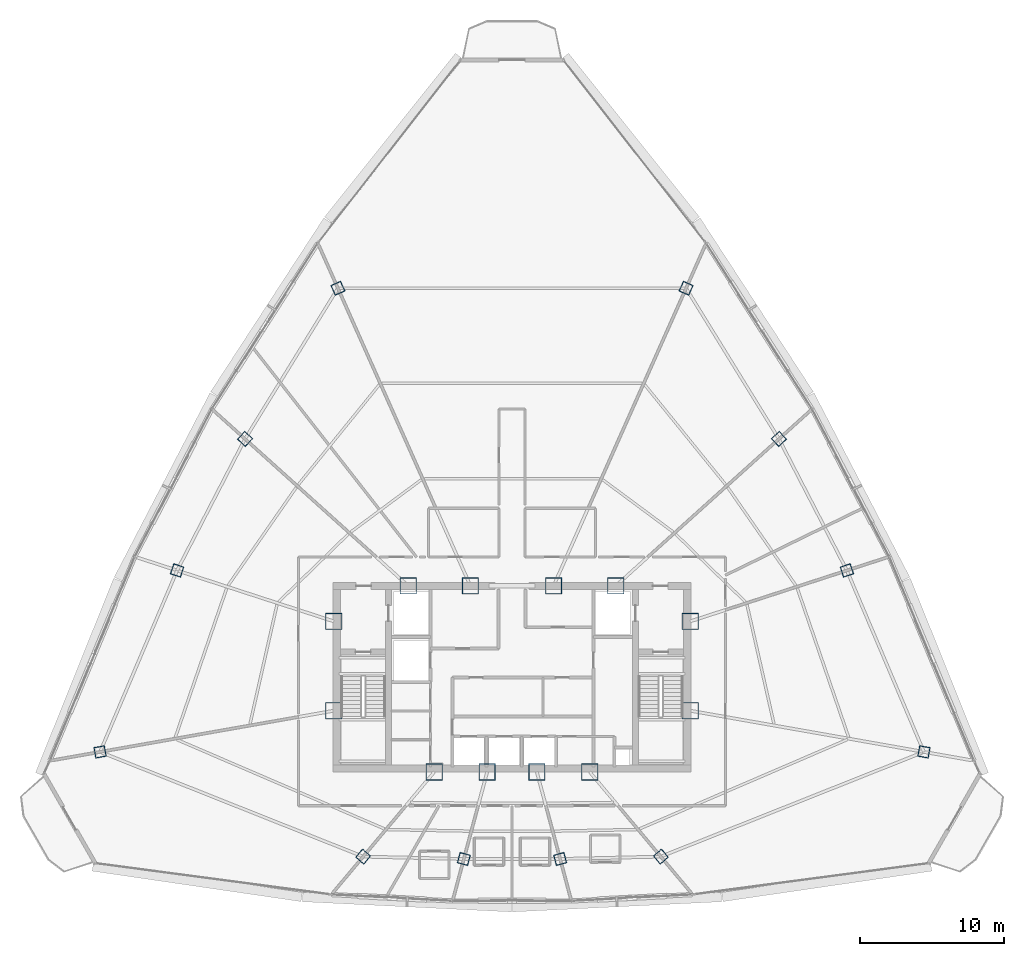
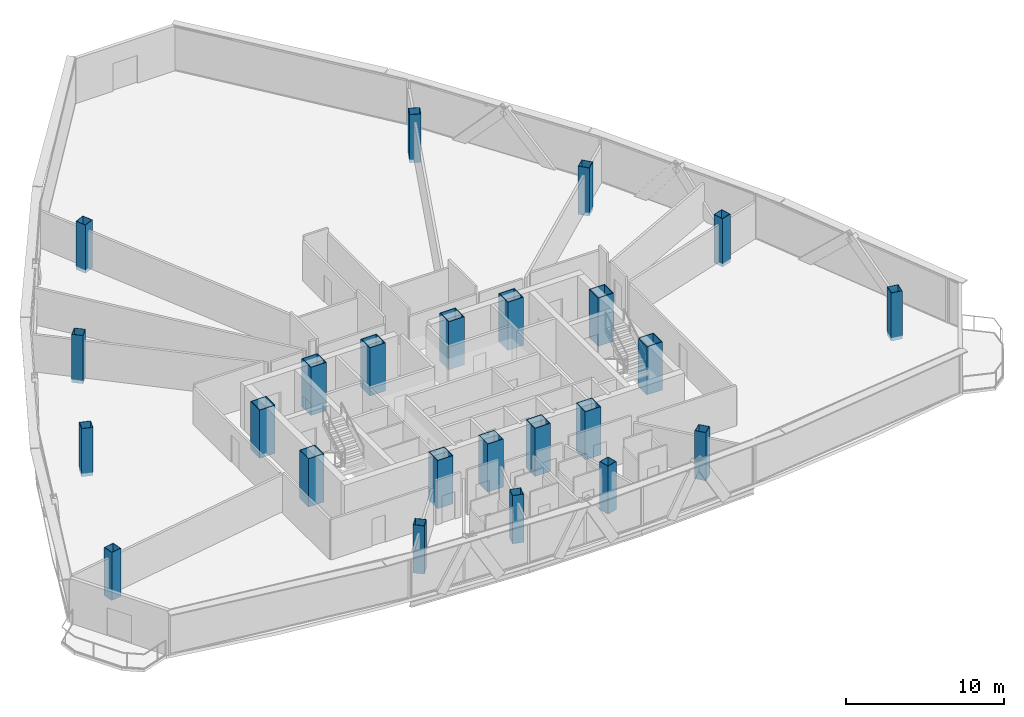
# One storey, part 1 of 37: 24 columns.
"""IFC4 building model written with IfcOpenShell, lengths in metres."""

from ifc_helpers import new_model, si_unit, direction, frame, origin, origin_2d, place, context, subcontext, project, spatial, hollow_rectangle, extrude, source, transform, mapped, material, material_profile, profile_set, type_object, element, save


model = new_model("IFC4")

# Units and contexts
model_context = context("Model", 3, precision=1e-05, world=origin(), true_north=direction((0.0, 1.0)))
body_context = subcontext(model_context, "Body", "Model", "MODEL_VIEW")
ifc_project = project(units=[si_unit("LENGTHUNIT", "METRE"), si_unit("AREAUNIT", "SQUARE_METRE"), si_unit("VOLUMEUNIT", "CUBIC_METRE"), si_unit("PLANEANGLEUNIT", "RADIAN"), si_unit("MASSUNIT", "GRAM", prefix="KILO"), si_unit("THERMODYNAMICTEMPERATUREUNIT", "KELVIN"), si_unit("POWERUNIT", "WATT")], contexts=[model_context])

# Site, building, storey
site_placement = place(None, origin())
site = spatial("IfcSite", under=ifc_project, at=site_placement, CompositionType="ELEMENT")
building_placement = place(site_placement, origin())
building = spatial("IfcBuilding", under=site, at=building_placement, Name="Yunzhuo Pagoda Commons", CompositionType="ELEMENT")
storey_placement = place(building_placement, frame((0.0, 0.0, 277.56005859375)))
storey = spatial("IfcBuildingStorey", under=building, at=storey_placement, Name="L69", CompositionType="ELEMENT", Elevation=277.56005859375)

# Columns
ifc_material_1 = material(Name="Structural steel Q420B", Category="steel")
ifc_material_profile_1 = material_profile(ifc_material_1, hollow_rectangle(XDim=1.14990234375, YDim=1.14990234375, WallThickness=0.048095703125, at=origin_2d()), Name="Structural steel Q420B")
ifc_profile_set_1 = profile_set([ifc_material_profile_1], Name="Structural steel Q420B")
column_type_1 = type_object("IfcColumnType", Name="C-COR Column BOX 1150x1150x48", PredefinedType="COLUMN", material=ifc_profile_set_1)
shared_shape_1 = source(origin(), body_context, "Body", "SweptSolid", [
    extrude(hollow_rectangle(XDim=1.14990234375, YDim=1.14990234375, WallThickness=0.048095703125, at=origin_2d()), origin(), (0.0, 0.0, 1.0), 3.72998046875),
])
for number, where, z_axis, x_axis, name in (
    (1, (42.587890625, 27.25, -0.260009765625), (0.0, 0.0, 1.0), (1.0, 0.0, 0.0), "L69 core composite column F1C1"),
    (2, (46.27197265625, 27.25, -0.260009765625), (0.0, 0.0, 1.0), (1.0, 0.0, 0.0), "L69 core composite column F1C2"),
    (3, (49.728515625, 27.25, -0.260009765625), (0.0, 0.0, 1.0), (1.0, 0.0, 0.0), "L69 core composite column F1C3"),
    (4, (53.412109375, 27.25, -0.260009765625), (0.0, 0.0, 1.0), (1.0, 0.0, 0.0), "L69 core composite column F1C4"),
    (5, (60.39990234375, 31.513427734375, -0.260009765625), (0.0, 0.0, 1.0), (1.0, 0.0, 0.0), "L69 core composite column F2C1"),
    (6, (60.39990234375, 37.72900390625, -0.260009765625), (0.0, 0.0, 1.0), (1.0, 0.0, 0.0), "L69 core composite column F2C2"),
    (7, (55.218994140625, 40.199951171875, -0.260009765625), (0.0, 0.0, 1.0), (1.0, 0.0, 0.0), "L69 core composite column F2C3"),
    (8, (50.89404296875, 40.199951171875, -0.260009765625), (0.0, 0.0, 1.0), (1.0, 0.0, 0.0), "L69 core composite column F2C4"),
    (9, (45.10595703125, 40.199951171875, -0.260009765625), (0.0, 0.0, 1.0), (1.0, 0.0, 0.0), "L69 core composite column F3C1"),
    (10, (40.781005859375, 40.199951171875, -0.260009765625), (0.0, 0.0, 1.0), (1.0, 0.0, 0.0), "L69 core composite column F3C2"),
    (11, (35.60009765625, 37.72900390625, -0.260009765625), (0.0, 0.0, 1.0), (1.0, 0.0, 0.0), "L69 core composite column F3C3"),
    (12, (35.60009765625, 31.513427734375, -0.260009765625), (0.0, 0.0, 1.0), (1.0, 0.0, 0.0), "L69 core composite column F3C4"),
):
    element("IfcColumn", number, at=place(storey_placement, frame(where, z_axis=z_axis, x_axis=x_axis)), inside=storey, type_object=column_type_1, Name=name, PredefinedType="COLUMN", context=body_context, shape_type="MappedRepresentation", body=[
        mapped(shared_shape_1, transform((0.0, 0.0, 0.0), scale=1.0)),
    ])
ifc_material_2 = material(Name="Structural steel Q355B", Category="steel")
ifc_material_profile_2 = material_profile(ifc_material_2, hollow_rectangle(XDim=0.75, YDim=0.75, WallThickness=0.028076171875, at=origin_2d()), Name="Structural steel Q355B")
ifc_profile_set_2 = profile_set([ifc_material_profile_2], Name="Structural steel Q355B")
column_type_2 = type_object("IfcColumnType", Name="C-Z6 Column BOX 750x750x28", PredefinedType="COLUMN", material=ifc_profile_set_2)
shared_shape_2 = source(origin(), body_context, "Body", "SweptSolid", [
    extrude(hollow_rectangle(XDim=0.75, YDim=0.75, WallThickness=0.028076171875, at=origin_2d()), origin(), (0.0, 0.0, 1.0), 3.72998046875),
])
for number, where, z_axis, x_axis, name in (
    (13, (37.64697265625, 21.361572265625, -0.260009765625), (0.0, 0.0, 1.0), (0.766044443119, -0.642787609687, 0.0), "L69 tower column F1C1"),
    (14, (44.6494140625, 21.195556640625, -0.260009765625), (0.0, 0.0, 1.0), (0.965925826289, -0.258819045103, 0.0), "L69 tower column F1C2"),
    (15, (51.3505859375, 21.195556640625, -0.260009765625), (0.0, 0.0, 1.0), (0.965925826289, 0.258819045103, 0.0), "L69 tower column F1C3"),
    (16, (58.353515625, 21.361572265625, -0.260009765625), (0.0, 0.0, 1.0), (0.766044443119, 0.642787609687, 0.0), "L69 tower column F1C4"),
    (17, (76.66162109375, 28.646240234375, -0.260009765625), (0.0, 0.0, 1.0), (0.173648177667, 0.984807753012, 0.0), "L69 tower column F2C1"),
    (18, (71.302490234375, 41.271484375, -0.260009765625), (0.0, 0.0, 1.0), (-0.309016994375, 0.951056516295, 0.0), "L69 tower column F2C2"),
    (19, (66.5732421875, 50.423583984375, -0.260009765625), (0.0, 0.0, 1.0), (-0.669130606359, 0.743144825477, 0.0), "L69 tower column F2C3"),
    (20, (60.1142578125, 60.9091796875, -0.260009765625), (0.0, 0.0, 1.0), (-0.913545457643, 0.406736643076, 0.0), "L69 tower column F2C4"),
    (21, (35.8857421875, 60.9091796875, -0.260009765625), (0.0, 0.0, 1.0), (-0.913545457643, -0.406736643076, 0.0), "L69 tower column F3C1"),
    (22, (29.4267578125, 50.423583984375, -0.260009765625), (0.0, 0.0, 1.0), (-0.669130606359, -0.743144825477, 0.0), "L69 tower column F3C2"),
    (23, (24.697509765625, 41.271484375, -0.260009765625), (0.0, 0.0, 1.0), (-0.309016994375, -0.951056516295, 0.0), "L69 tower column F3C3"),
    (24, (19.33837890625, 28.646240234375, -0.260009765625), (0.0, 0.0, 1.0), (0.173648177667, -0.984807753012, 0.0), "L69 tower column F3C4"),
):
    element("IfcColumn", number, at=place(storey_placement, frame(where, z_axis=z_axis, x_axis=x_axis)), inside=storey, type_object=column_type_2, Name=name, PredefinedType="COLUMN", context=body_context, shape_type="MappedRepresentation", body=[
        mapped(shared_shape_2, transform((0.0, 0.0, 0.0), scale=1.0)),
    ])

save(model, "model.ifc")
